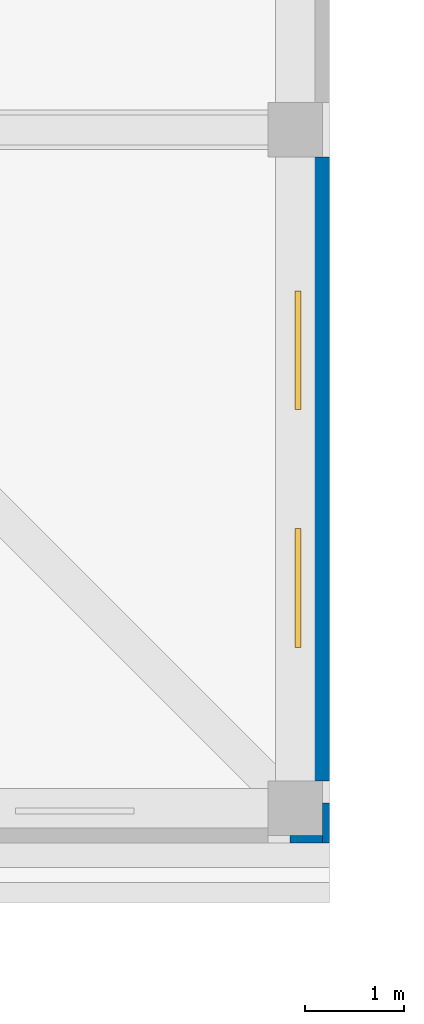
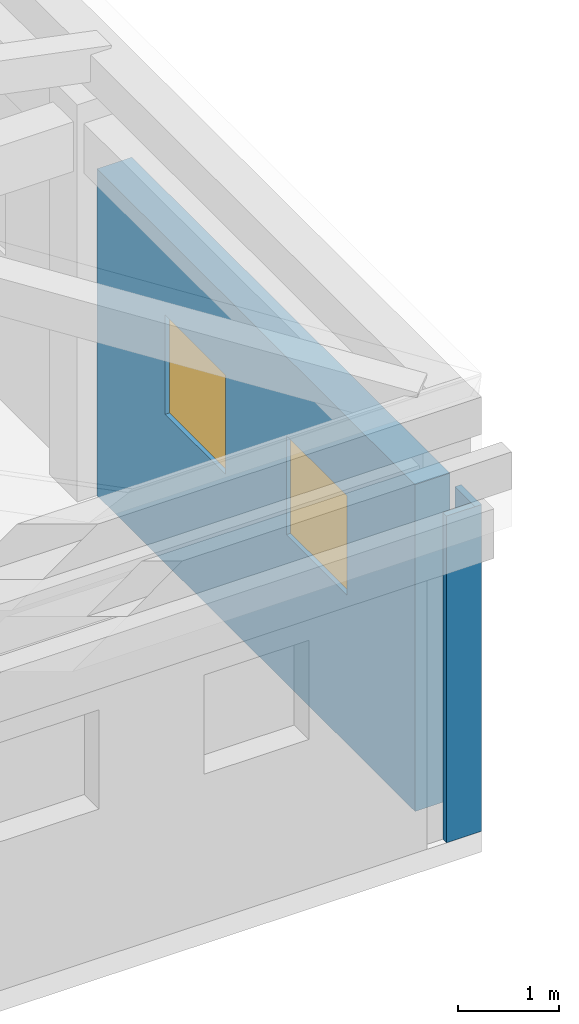
# One storey, part 42 of 48: 3 walls, 2 windows, 2 openings.
"""IFC4 building model written with IfcOpenShell, lengths in metres."""

from ifc_helpers import new_model, si_unit, direction, frame, frame_2d, origin, place, context, subcontext, project, spatial, rectangle, extrude, material, layer, layer_set, type_object, element, fill, save


model = new_model("IFC4")

# Units and contexts
model_context = context("Model", 3, precision=1e-05, world=origin(), true_north=direction((0.0, 1.0)))
body_context = subcontext(model_context, "Body", "Model", "MODEL_VIEW")
ifc_project = project(units=[si_unit("LENGTHUNIT", "METRE"), si_unit("AREAUNIT", "SQUARE_METRE"), si_unit("VOLUMEUNIT", "CUBIC_METRE"), si_unit("PLANEANGLEUNIT", "RADIAN"), si_unit("MASSUNIT", "GRAM", prefix="KILO")], contexts=[model_context])

# Site, building, storey
site_placement = place(None, origin())
site = spatial("IfcSite", under=ifc_project, at=site_placement, CompositionType="ELEMENT")
building_placement = place(site_placement, origin())
building = spatial("IfcBuilding", under=site, at=building_placement, Name="Alderwick Market Hall", CompositionType="ELEMENT")
storey_placement = place(building_placement, frame((0.0, 0.0, 14.39990234375)))
storey = spatial("IfcBuildingStorey", under=building, at=storey_placement, Name="L02", CompositionType="ELEMENT", Elevation=14.39990234375)

# Walls
ifc_material_1 = material(Name="Face brick", Category="masonry")
ifc_layer_1 = layer(ifc_material_1, 0.39990234375)
ifc_layer_set_1 = layer_set([ifc_layer_1], Name="Face brick")
wall_type_1 = type_object("IfcWallType", Name="F Brick Pier Wall 400", PredefinedType="SOLIDWALL", material=ifc_layer_set_1)
wall_1_placement = place(storey_placement, frame((230.39990234375, 129.800048828125, 0.0), z_axis=(0.0, 0.0, 1.0), x_axis=(-1.0, 0.0, 0.0)))
element("IfcWall", 1, at=wall_1_placement, inside=storey, type_object=wall_type_1, Name="F.wall.L02.fac.front.12", PredefinedType="SOLIDWALL", context=body_context, shape_type="SweptSolid", body=[
    extrude(rectangle(XDim=0.074951171875, YDim=0.39990234375, at=frame_2d((0.03759765625, 0.0))), origin(), (0.0, 0.0, 1.0), 3.9501953125),
])
ifc_material_2 = material(Name="Concrete 5000 psi (f'c 35 MPa)", Category="concrete")
ifc_layer_2 = layer(ifc_material_2, 0.39990234375)
ifc_layer_set_2 = layer_set([ifc_layer_2], Name="Concrete 5000 psi (f'c 35 MPa)")
wall_type_2 = type_object("IfcWallType", Name="F End Shear Wall Concrete 5000 psi 400", PredefinedType="SHEAR", material=ifc_layer_set_2)
wall_2_placement = place(storey_placement, frame((230.199951171875, 129.675048828125, 0.0), z_axis=(0.0, 0.0, 1.0), x_axis=(0.0, -1.0, 0.0)))
element("IfcWall", 2, at=wall_2_placement, inside=storey, type_object=wall_type_2, Name="F.wall.L02.fac.east.01", PredefinedType="SHEAR", context=body_context, shape_type="SweptSolid", body=[
    extrude(rectangle(XDim=0.074951171875, YDim=0.39990234375, at=frame_2d((0.03759765625, 0.0))), origin(), (0.0, 0.0, 1.0), 3.9501953125),
])

# Wall, openings, windows
wall_3_placement = place(storey_placement, frame((230.199951171875, 136.52490234375, 0.0), z_axis=(0.0, 0.0, 1.0), x_axis=(0.0, -1.0, 0.0)))
wall_3 = element("IfcWall", 3, at=wall_3_placement, inside=storey, type_object=wall_type_2, Name="F.wall.L02.fac.east.02", PredefinedType="SHEAR", context=body_context, shape_type="SweptSolid", body=[
    extrude(rectangle(XDim=6.2998046875, YDim=0.39990234375, at=frame_2d((3.14990234375, 0.0))), origin(), (0.0, 0.0, 1.0), 3.9501953125),
])
opening_1_placement = place(wall_3_placement, frame((1.35009765625, 0.0, 1.800048828125)))
opening_1 = element("IfcOpeningElement", 4, at=opening_1_placement, cuts=wall_3, Name="Opening F-W057", PredefinedType="OPENING", context=body_context, shape_type="SweptSolid", body=[
    extrude(rectangle(XDim=1.199951171875, YDim=1.199951171875, at=frame_2d((0.60009765625, 0.60009765625))), frame((0.0, 0.2099609375, 0.0), z_axis=(0.0, -1.0, 0.0), x_axis=(1.0, 0.0, 0.0)), (0.0, 0.0, 1.0), 0.419921875),
])
opening_2_placement = place(wall_3_placement, frame((3.75, 0.0, 1.800048828125)))
opening_2 = element("IfcOpeningElement", 5, at=opening_2_placement, cuts=wall_3, Name="Opening F-W058", PredefinedType="OPENING", context=body_context, shape_type="SweptSolid", body=[
    extrude(rectangle(XDim=1.199951171875, YDim=1.199951171875, at=frame_2d((0.60009765625, 0.60009765625))), frame((0.0, 0.2099609375, 0.0), z_axis=(0.0, -1.0, 0.0), x_axis=(1.0, 0.0, 0.0)), (0.0, 0.0, 1.0), 0.419921875),
])
ifc_material_3 = material(Name="Aluminium frame, double glazing", Category="aluminium")
window_type = type_object("IfcWindowType", Name="F Attic Window 1200x1200", PartitioningType="SINGLE_PANEL", PredefinedType="WINDOW", material=ifc_material_3)
window_1_placement = place(opening_1_placement, origin())
window_1 = element("IfcWindow", 6, at=window_1_placement, inside=storey, type_object=window_type, Name="F.win.L02.057", OverallHeight=1.199951171875, OverallWidth=1.199951171875, PartitioningType="SINGLE_PANEL", PredefinedType="WINDOW", context=body_context, shape_type="SweptSolid", body=[
    extrude(rectangle(XDim=1.199951171875, YDim=1.199951171875, at=frame_2d((0.60009765625, 0.60009765625))), frame((0.0, -0.090087890625, 0.0), z_axis=(0.0, -1.0, 0.0), x_axis=(1.0, 0.0, 0.0)), (0.0, 0.0, 1.0), 0.06005859375),
])
fill(opening_1, window_1)
window_2_placement = place(opening_2_placement, origin())
window_2 = element("IfcWindow", 7, at=window_2_placement, inside=storey, type_object=window_type, Name="F.win.L02.058", OverallHeight=1.199951171875, OverallWidth=1.199951171875, PartitioningType="SINGLE_PANEL", PredefinedType="WINDOW", context=body_context, shape_type="SweptSolid", body=[
    extrude(rectangle(XDim=1.199951171875, YDim=1.199951171875, at=frame_2d((0.60009765625, 0.60009765625))), frame((0.0, -0.090087890625, 0.0), z_axis=(0.0, -1.0, 0.0), x_axis=(1.0, 0.0, 0.0)), (0.0, 0.0, 1.0), 0.06005859375),
])
fill(opening_2, window_2)

save(model, "model.ifc")
